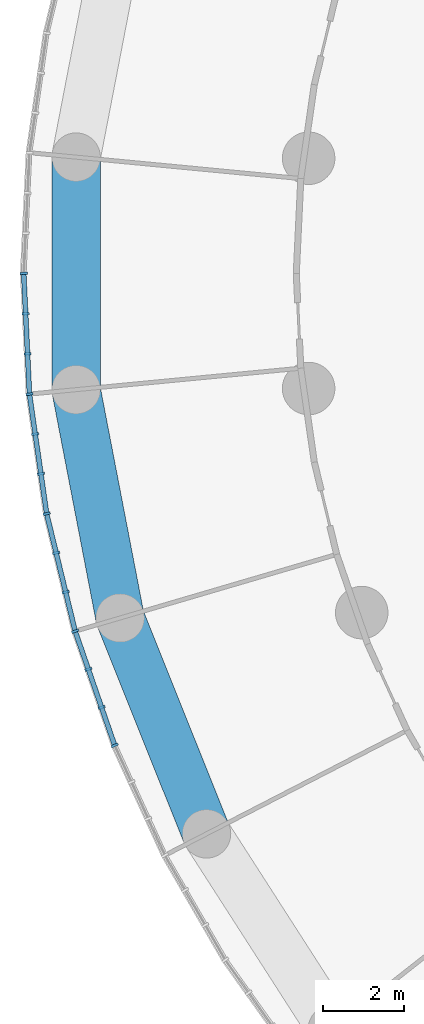
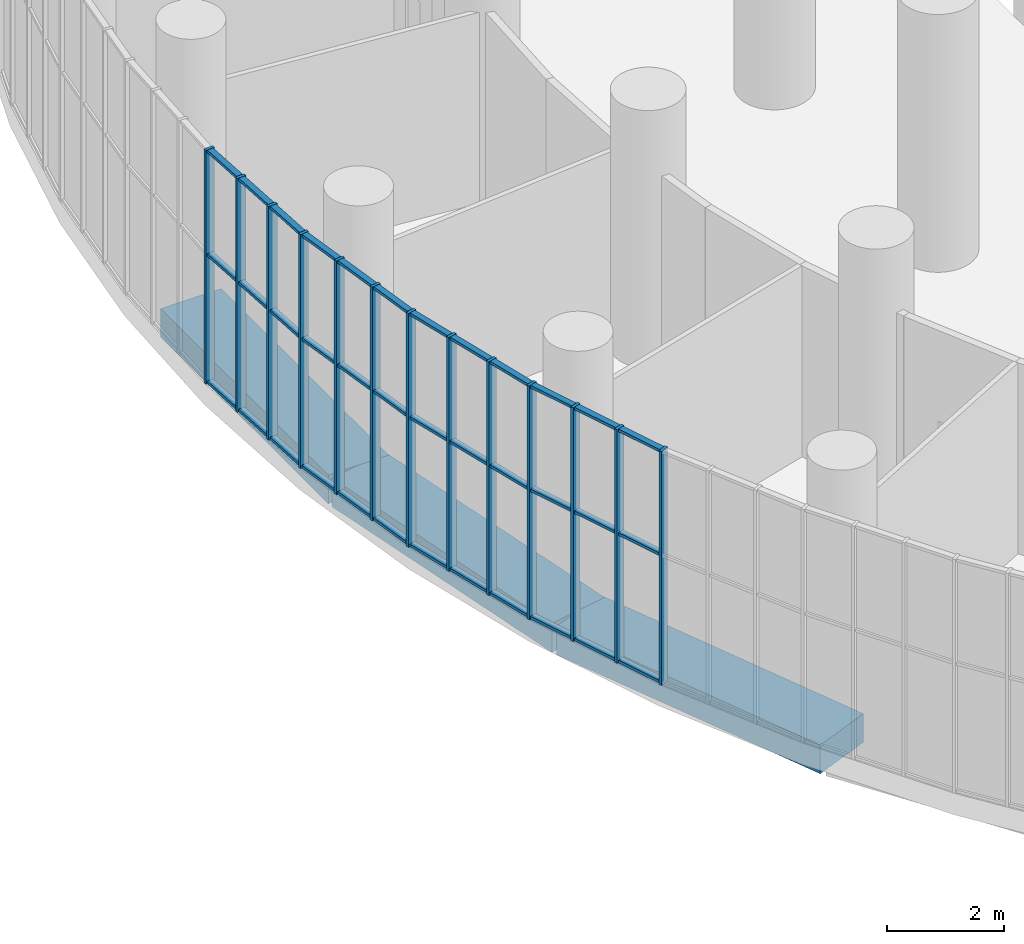
# One storey, part 4 of 27: 25 members, 3 beams, 5 elements without a shape of their own.
"""IFC4 building model written with IfcOpenShell, lengths in metres."""

from ifc_helpers import new_model, si_unit, direction, frame, origin, origin_2d, place, context, subcontext, project, spatial, rectangle, extrude, material, layer, layer_set, material_profile, profile_set, type_object, element, aggregate, save


model = new_model("IFC4")

# Units and contexts
model_context = context("Model", 3, precision=1e-05, world=origin(), true_north=direction((0.0, 1.0)))
body_context = subcontext(model_context, "Body", "Model", "MODEL_VIEW")
ifc_project = project(units=[si_unit("LENGTHUNIT", "METRE"), si_unit("AREAUNIT", "SQUARE_METRE"), si_unit("VOLUMEUNIT", "CUBIC_METRE"), si_unit("PLANEANGLEUNIT", "RADIAN"), si_unit("MASSUNIT", "GRAM", prefix="KILO")], contexts=[model_context])

# Site, building, storey
site_placement = place(None, origin())
site = spatial("IfcSite", under=ifc_project, at=site_placement, CompositionType="ELEMENT")
building_placement = place(site_placement, origin())
building = spatial("IfcBuilding", under=site, at=building_placement, Name="Tracery Tower", CompositionType="ELEMENT")
storey_placement = place(building_placement, frame((0.0, 0.0, 114.60009765625)))
storey = spatial("IfcBuildingStorey", under=building, at=storey_placement, Name="L29", CompositionType="ELEMENT", Elevation=114.60009765625)

# Beams
ifc_material_1 = material(Name="Concrete C60/75", Category="concrete")
ifc_material_profile_1 = material_profile(ifc_material_1, rectangle(XDim=1.199951171875, YDim=0.60009765625, at=origin_2d()), Name="RC 1200x600")
ifc_profile_set_1 = profile_set([ifc_material_profile_1], Name="Concrete C60/75")
beam_type = type_object("IfcBeamType", Name="Perimeter band beam 1200x600", PredefinedType="BEAM", material=ifc_profile_set_1)
beam_placement = place(storey_placement, frame((-30.137451171875, 2.877685546875, -0.75), z_axis=(0.0, -1.0, 0.0), x_axis=(1.0, 0.0, 0.0)))
element("IfcBeam", 1, at=beam_placement, inside=storey, type_object=beam_type, Name="Perimeter beam 0.16 under L29", PredefinedType="BEAM", context=body_context, shape_type="SweptSolid", body=[
    extrude(rectangle(XDim=1.199951171875, YDim=0.60009765625, at=origin_2d()), origin(), (0.0, 0.0, 1.0), 5.75537109375),
])
for number, where, z_axis, x_axis, name in (
    (2, (-30.137451171875, -2.877685546875, -0.75), (0.189226539295, -0.981933458451, 0.0), (0.981933458451, 0.189226539295, 0.0), "Perimeter beam 0.17 under L29"),
    (3, (-29.04833984375, -8.529296875, -0.75), (0.371668572289, -0.928365484264, 0.0), (0.928365484264, 0.371668572289, 0.0), "Perimeter beam 0.18 under L29"),
):
    element("IfcBeam", number, at=place(storey_placement, frame(where, z_axis=z_axis, x_axis=x_axis)), inside=storey, type_object=beam_type, Name=name, PredefinedType="BEAM", context=body_context, shape_type="SweptSolid", body=[
        extrude(rectangle(XDim=1.199951171875, YDim=0.60009765625, at=origin_2d()), origin(), (0.0, 0.0, 1.0), 5.755615234375),
    ])

# Curtain wall, members
ifc_material_2 = material(Name="Aluminium curtain wall with tinted glass", Category="aluminium")
ifc_layer = layer(ifc_material_2, 0.179931640625)
ifc_layer_set = layer_set([ifc_layer], Name="Sky lounge 1 tracery curtain wall")
curtain_wall_type = type_object("IfcCurtainWallType", Name="Sky lounge 1 tracery curtain wall", PredefinedType="NOTDEFINED", material=ifc_layer_set)
curtain_wall_1_placement = place(storey_placement, origin())
curtain_wall_1 = element("IfcCurtainWall", 4, at=curtain_wall_1_placement, inside=storey, type_object=curtain_wall_type, Name="Sky lounge 1 curtain wall run 34", PredefinedType="NOTDEFINED")
ifc_material_3 = material(Name="Aluminium, bronze anodised", Category="aluminium")
ifc_material_profile_2 = material_profile(ifc_material_3, rectangle(XDim=0.179931640625, YDim=0.06005859375, at=origin_2d()), Name="AL 60x180")
ifc_profile_set_2 = profile_set([ifc_material_profile_2], Name="Aluminium, bronze anodised")
member_type_1 = type_object("IfcMemberType", Name="Sky lounge 1 mullion 60 x 180", PredefinedType="MULLION", material=ifc_profile_set_2)
member_1_placement = place(storey_placement, frame((-31.4345703125, 0.0, 0.0), z_axis=(0.0, 0.0, 1.0), x_axis=(0.998867339183, 0.047581915819, 0.0)))
member_1 = element("IfcMember", 5, at=member_1_placement, type_object=member_type_1, Name="Sky lounge 1 curtain wall run 34 mullion 1", PredefinedType="MULLION", context=body_context, shape_type="SweptSolid", body=[
    extrude(rectangle(XDim=0.179931640625, YDim=0.06005859375, at=origin_2d()), origin(), (0.0, 0.0, 1.0), 4.89990234375),
])
member_2_placement = place(storey_placement, frame((-31.386962890625, -0.99609375, 0.0), z_axis=(0.0, 0.0, 1.0), x_axis=(0.998867339183, 0.047581915819, 0.0)))
member_2 = element("IfcMember", 6, at=member_2_placement, type_object=member_type_1, Name="Sky lounge 1 curtain wall run 34 mullion 2", PredefinedType="MULLION", context=body_context, shape_type="SweptSolid", body=[
    extrude(rectangle(XDim=0.179931640625, YDim=0.06005859375, at=origin_2d()), origin(), (0.0, 0.0, 1.0), 4.89990234375),
])
member_3_placement = place(storey_placement, frame((-31.339599609375, -1.991943359375, 0.0), z_axis=(0.0, 0.0, 1.0), x_axis=(0.998867339183, 0.047581915819, 0.0)))
member_3 = element("IfcMember", 7, at=member_3_placement, type_object=member_type_1, Name="Sky lounge 1 curtain wall run 34 mullion 3", PredefinedType="MULLION", context=body_context, shape_type="SweptSolid", body=[
    extrude(rectangle(XDim=0.179931640625, YDim=0.06005859375, at=origin_2d()), origin(), (0.0, 0.0, 1.0), 4.89990234375),
])

curtain_wall_2_placement = place(storey_placement, origin())
curtain_wall_2 = element("IfcCurtainWall", 8, at=curtain_wall_2_placement, inside=storey, type_object=curtain_wall_type, Name="Sky lounge 1 curtain wall run 35", PredefinedType="NOTDEFINED")
member_4_placement = place(storey_placement, frame((-31.292236328125, -2.988037109375, 0.0), z_axis=(0.0, 0.0, 1.0), x_axis=(0.98982144188, 0.142314838276, 0.0)))
member_4 = element("IfcMember", 9, at=member_4_placement, type_object=member_type_1, Name="Sky lounge 1 curtain wall run 35 mullion 1", PredefinedType="MULLION", context=body_context, shape_type="SweptSolid", body=[
    extrude(rectangle(XDim=0.179931640625, YDim=0.06005859375, at=origin_2d()), origin(), (0.0, 0.0, 1.0), 4.89990234375),
])
member_5_placement = place(storey_placement, frame((-31.150146484375, -3.97509765625, 0.0), z_axis=(0.0, 0.0, 1.0), x_axis=(0.98982144188, 0.142314838276, 0.0)))
member_5 = element("IfcMember", 10, at=member_5_placement, type_object=member_type_1, Name="Sky lounge 1 curtain wall run 35 mullion 2", PredefinedType="MULLION", context=body_context, shape_type="SweptSolid", body=[
    extrude(rectangle(XDim=0.179931640625, YDim=0.06005859375, at=origin_2d()), origin(), (0.0, 0.0, 1.0), 4.89990234375),
])
member_6_placement = place(storey_placement, frame((-31.00830078125, -4.9619140625, 0.0), z_axis=(0.0, 0.0, 1.0), x_axis=(0.98982144188, 0.142314838276, 0.0)))
member_6 = element("IfcMember", 11, at=member_6_placement, type_object=member_type_1, Name="Sky lounge 1 curtain wall run 35 mullion 3", PredefinedType="MULLION", context=body_context, shape_type="SweptSolid", body=[
    extrude(rectangle(XDim=0.179931640625, YDim=0.06005859375, at=origin_2d()), origin(), (0.0, 0.0, 1.0), 4.89990234375),
])

curtain_wall_3_placement = place(storey_placement, origin())
curtain_wall_3 = element("IfcCurtainWall", 12, at=curtain_wall_3_placement, inside=storey, type_object=curtain_wall_type, Name="Sky lounge 1 curtain wall run 36", PredefinedType="NOTDEFINED")
member_7_placement = place(storey_placement, frame((-30.866455078125, -5.948974609375, 0.0), z_axis=(0.0, 0.0, 1.0), x_axis=(0.971811568325, 0.235758935503, 0.0)))
member_7 = element("IfcMember", 13, at=member_7_placement, type_object=member_type_1, Name="Sky lounge 1 curtain wall run 36 mullion 1", PredefinedType="MULLION", context=body_context, shape_type="SweptSolid", body=[
    extrude(rectangle(XDim=0.179931640625, YDim=0.06005859375, at=origin_2d()), origin(), (0.0, 0.0, 1.0), 4.89990234375),
])
member_8_placement = place(storey_placement, frame((-30.63134765625, -6.91796875, 0.0), z_axis=(0.0, 0.0, 1.0), x_axis=(0.971811568325, 0.235758935503, 0.0)))
member_8 = element("IfcMember", 14, at=member_8_placement, type_object=member_type_1, Name="Sky lounge 1 curtain wall run 36 mullion 2", PredefinedType="MULLION", context=body_context, shape_type="SweptSolid", body=[
    extrude(rectangle(XDim=0.179931640625, YDim=0.06005859375, at=origin_2d()), origin(), (0.0, 0.0, 1.0), 4.89990234375),
])
member_9_placement = place(storey_placement, frame((-30.396240234375, -7.88720703125, 0.0), z_axis=(0.0, 0.0, 1.0), x_axis=(0.971811568325, 0.235758935503, 0.0)))
member_9 = element("IfcMember", 15, at=member_9_placement, type_object=member_type_1, Name="Sky lounge 1 curtain wall run 36 mullion 3", PredefinedType="MULLION", context=body_context, shape_type="SweptSolid", body=[
    extrude(rectangle(XDim=0.179931640625, YDim=0.06005859375, at=origin_2d()), origin(), (0.0, 0.0, 1.0), 4.89990234375),
])

curtain_wall_4_placement = place(storey_placement, origin())
curtain_wall_4 = element("IfcCurtainWall", 16, at=curtain_wall_4_placement, inside=storey, type_object=curtain_wall_type, Name="Sky lounge 1 curtain wall run 37", PredefinedType="NOTDEFINED")
member_10_placement = place(storey_placement, frame((-30.1611328125, -8.856201171875, 0.0), z_axis=(0.0, 0.0, 1.0), x_axis=(0.945000818714, 0.327067963319, 0.0)))
member_10 = element("IfcMember", 17, at=member_10_placement, type_object=member_type_1, Name="Sky lounge 1 curtain wall run 37 mullion 1", PredefinedType="MULLION", context=body_context, shape_type="SweptSolid", body=[
    extrude(rectangle(XDim=0.179931640625, YDim=0.06005859375, at=origin_2d()), origin(), (0.0, 0.0, 1.0), 4.89990234375),
])
member_11_placement = place(storey_placement, frame((-29.8349609375, -9.79833984375, 0.0), z_axis=(0.0, 0.0, 1.0), x_axis=(0.945000818714, 0.327067963319, 0.0)))
member_11 = element("IfcMember", 18, at=member_11_placement, type_object=member_type_1, Name="Sky lounge 1 curtain wall run 37 mullion 2", PredefinedType="MULLION", context=body_context, shape_type="SweptSolid", body=[
    extrude(rectangle(XDim=0.179931640625, YDim=0.06005859375, at=origin_2d()), origin(), (0.0, 0.0, 1.0), 4.89990234375),
])
member_12_placement = place(storey_placement, frame((-29.509033203125, -10.74072265625, 0.0), z_axis=(0.0, 0.0, 1.0), x_axis=(0.945000818714, 0.327067963319, 0.0)))
member_12 = element("IfcMember", 19, at=member_12_placement, type_object=member_type_1, Name="Sky lounge 1 curtain wall run 37 mullion 3", PredefinedType="MULLION", context=body_context, shape_type="SweptSolid", body=[
    extrude(rectangle(XDim=0.179931640625, YDim=0.06005859375, at=origin_2d()), origin(), (0.0, 0.0, 1.0), 4.89990234375),
])

# Curtain wall, member
curtain_wall_5_placement = place(storey_placement, origin())
curtain_wall_5 = element("IfcCurtainWall", 20, at=curtain_wall_5_placement, inside=storey, type_object=curtain_wall_type, Name="Sky lounge 1 curtain wall run 38", PredefinedType="NOTDEFINED")
member_13_placement = place(storey_placement, frame((-29.182861328125, -11.68310546875, 0.0), z_axis=(0.0, 0.0, 1.0), x_axis=(0.909631995358, 0.415415012995, 0.0)))
member_13 = element("IfcMember", 21, at=member_13_placement, type_object=member_type_1, Name="Sky lounge 1 curtain wall run 38 mullion 1", PredefinedType="MULLION", context=body_context, shape_type="SweptSolid", body=[
    extrude(rectangle(XDim=0.179931640625, YDim=0.06005859375, at=origin_2d()), origin(), (0.0, 0.0, 1.0), 4.89990234375),
])
aggregate(curtain_wall_5, [member_13])

# Member
ifc_material_4 = material(Name="Aluminium, bronze anodised", Category="aluminium")
ifc_material_profile_3 = material_profile(ifc_material_4, rectangle(XDim=0.1201171875, YDim=0.06005859375, at=origin_2d()), Name="AL 60x120")
ifc_profile_set_3 = profile_set([ifc_material_profile_3], Name="Aluminium, bronze anodised")
member_type_2 = type_object("IfcMemberType", Name="Sky lounge 1 transom 60 x 120", PredefinedType="USERDEFINED", material=ifc_profile_set_3)
member_14_placement = place(storey_placement, frame((-31.43310546875, -0.030029296875, 0.02978515625), z_axis=(0.047557235205, -0.99886851456, 0.0), x_axis=(0.99886851456, 0.047557235205, 0.0)))
member_14 = element("IfcMember", 22, at=member_14_placement, type_object=member_type_2, Name="Sky lounge 1 curtain wall run 34 transom 1", ObjectType="TRANSOM", PredefinedType="USERDEFINED", context=body_context, shape_type="SweptSolid", body=[
    extrude(rectangle(XDim=0.1201171875, YDim=0.06005859375, at=origin_2d()), origin(), (0.0, 0.0, 1.0), 2.931396484375),
])

member_15_placement = place(storey_placement, frame((-31.43310546875, -0.030029296875, 2.699951171875), z_axis=(0.047557235205, -0.99886851456, 0.0), x_axis=(0.99886851456, 0.047557235205, 0.0)))
member_15 = element("IfcMember", 23, at=member_15_placement, type_object=member_type_2, Name="Sky lounge 1 curtain wall run 34 transom 2", ObjectType="TRANSOM", PredefinedType="USERDEFINED", context=body_context, shape_type="SweptSolid", body=[
    extrude(rectangle(XDim=0.1201171875, YDim=0.06005859375, at=origin_2d()), origin(), (0.0, 0.0, 1.0), 2.931396484375),
])

member_16_placement = place(storey_placement, frame((-31.43310546875, -0.030029296875, 4.869873046875), z_axis=(0.047557235205, -0.99886851456, 0.0), x_axis=(0.99886851456, 0.047557235205, 0.0)))
member_16 = element("IfcMember", 24, at=member_16_placement, type_object=member_type_2, Name="Sky lounge 1 curtain wall run 34 transom 3", ObjectType="TRANSOM", PredefinedType="USERDEFINED", context=body_context, shape_type="SweptSolid", body=[
    extrude(rectangle(XDim=0.1201171875, YDim=0.06005859375, at=origin_2d()), origin(), (0.0, 0.0, 1.0), 2.931396484375),
])

aggregate(curtain_wall_1, [member_1, member_2, member_3, member_14, member_15, member_16])

member_17_placement = place(storey_placement, frame((-31.287841796875, -3.017822265625, 0.02978515625), z_axis=(0.142330747561, -0.98981915434, 0.0), x_axis=(0.98981915434, 0.142330747561, 0.0)))
member_17 = element("IfcMember", 25, at=member_17_placement, type_object=member_type_2, Name="Sky lounge 1 curtain wall run 35 transom 1", ObjectType="TRANSOM", PredefinedType="USERDEFINED", context=body_context, shape_type="SweptSolid", body=[
    extrude(rectangle(XDim=0.1201171875, YDim=0.06005859375, at=origin_2d()), origin(), (0.0, 0.0, 1.0), 2.931396484375),
])

member_18_placement = place(storey_placement, frame((-31.287841796875, -3.017822265625, 2.699951171875), z_axis=(0.142330747561, -0.98981915434, 0.0), x_axis=(0.98981915434, 0.142330747561, 0.0)))
member_18 = element("IfcMember", 26, at=member_18_placement, type_object=member_type_2, Name="Sky lounge 1 curtain wall run 35 transom 2", ObjectType="TRANSOM", PredefinedType="USERDEFINED", context=body_context, shape_type="SweptSolid", body=[
    extrude(rectangle(XDim=0.1201171875, YDim=0.06005859375, at=origin_2d()), origin(), (0.0, 0.0, 1.0), 2.931396484375),
])

member_19_placement = place(storey_placement, frame((-31.287841796875, -3.017822265625, 4.869873046875), z_axis=(0.142330747561, -0.98981915434, 0.0), x_axis=(0.98981915434, 0.142330747561, 0.0)))
member_19 = element("IfcMember", 27, at=member_19_placement, type_object=member_type_2, Name="Sky lounge 1 curtain wall run 35 transom 3", ObjectType="TRANSOM", PredefinedType="USERDEFINED", context=body_context, shape_type="SweptSolid", body=[
    extrude(rectangle(XDim=0.1201171875, YDim=0.06005859375, at=origin_2d()), origin(), (0.0, 0.0, 1.0), 2.931396484375),
])

aggregate(curtain_wall_2, [member_4, member_5, member_6, member_17, member_18, member_19])

member_20_placement = place(storey_placement, frame((-30.859375, -5.978271484375, 0.02978515625), z_axis=(0.235788340216, -0.971804434348, 0.0), x_axis=(0.971804434348, 0.235788340216, 0.0)))
member_20 = element("IfcMember", 28, at=member_20_placement, type_object=member_type_2, Name="Sky lounge 1 curtain wall run 36 transom 1", ObjectType="TRANSOM", PredefinedType="USERDEFINED", context=body_context, shape_type="SweptSolid", body=[
    extrude(rectangle(XDim=0.1201171875, YDim=0.06005859375, at=origin_2d()), origin(), (0.0, 0.0, 1.0), 2.931396484375),
])

member_21_placement = place(storey_placement, frame((-30.859375, -5.978271484375, 2.699951171875), z_axis=(0.235788340216, -0.971804434348, 0.0), x_axis=(0.971804434348, 0.235788340216, 0.0)))
member_21 = element("IfcMember", 29, at=member_21_placement, type_object=member_type_2, Name="Sky lounge 1 curtain wall run 36 transom 2", ObjectType="TRANSOM", PredefinedType="USERDEFINED", context=body_context, shape_type="SweptSolid", body=[
    extrude(rectangle(XDim=0.1201171875, YDim=0.06005859375, at=origin_2d()), origin(), (0.0, 0.0, 1.0), 2.931396484375),
])

member_22_placement = place(storey_placement, frame((-30.859375, -5.978271484375, 4.869873046875), z_axis=(0.235788340216, -0.971804434348, 0.0), x_axis=(0.971804434348, 0.235788340216, 0.0)))
member_22 = element("IfcMember", 30, at=member_22_placement, type_object=member_type_2, Name="Sky lounge 1 curtain wall run 36 transom 3", ObjectType="TRANSOM", PredefinedType="USERDEFINED", context=body_context, shape_type="SweptSolid", body=[
    extrude(rectangle(XDim=0.1201171875, YDim=0.06005859375, at=origin_2d()), origin(), (0.0, 0.0, 1.0), 2.931396484375),
])

aggregate(curtain_wall_3, [member_7, member_8, member_9, member_20, member_21, member_22])

member_23_placement = place(storey_placement, frame((-30.1513671875, -8.884521484375, 0.02978515625), z_axis=(0.327050494185, -0.945006864659, 0.0), x_axis=(0.945006864659, 0.327050494185, 0.0)))
member_23 = element("IfcMember", 31, at=member_23_placement, type_object=member_type_2, Name="Sky lounge 1 curtain wall run 37 transom 1", ObjectType="TRANSOM", PredefinedType="USERDEFINED", context=body_context, shape_type="SweptSolid", body=[
    extrude(rectangle(XDim=0.1201171875, YDim=0.06005859375, at=origin_2d()), origin(), (0.0, 0.0, 1.0), 2.931396484375),
])

member_24_placement = place(storey_placement, frame((-30.1513671875, -8.884521484375, 2.699951171875), z_axis=(0.327050494185, -0.945006864659, 0.0), x_axis=(0.945006864659, 0.327050494185, 0.0)))
member_24 = element("IfcMember", 32, at=member_24_placement, type_object=member_type_2, Name="Sky lounge 1 curtain wall run 37 transom 2", ObjectType="TRANSOM", PredefinedType="USERDEFINED", context=body_context, shape_type="SweptSolid", body=[
    extrude(rectangle(XDim=0.1201171875, YDim=0.06005859375, at=origin_2d()), origin(), (0.0, 0.0, 1.0), 2.931396484375),
])

member_25_placement = place(storey_placement, frame((-30.1513671875, -8.884521484375, 4.869873046875), z_axis=(0.327050494185, -0.945006864659, 0.0), x_axis=(0.945006864659, 0.327050494185, 0.0)))
member_25 = element("IfcMember", 33, at=member_25_placement, type_object=member_type_2, Name="Sky lounge 1 curtain wall run 37 transom 3", ObjectType="TRANSOM", PredefinedType="USERDEFINED", context=body_context, shape_type="SweptSolid", body=[
    extrude(rectangle(XDim=0.1201171875, YDim=0.06005859375, at=origin_2d()), origin(), (0.0, 0.0, 1.0), 2.931396484375),
])

aggregate(curtain_wall_4, [member_10, member_11, member_12, member_23, member_24, member_25])

save(model, "model.ifc")
